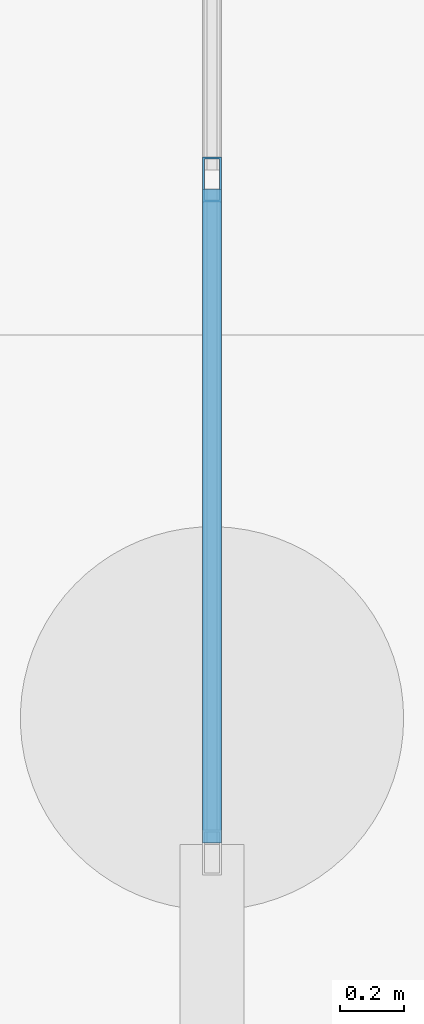
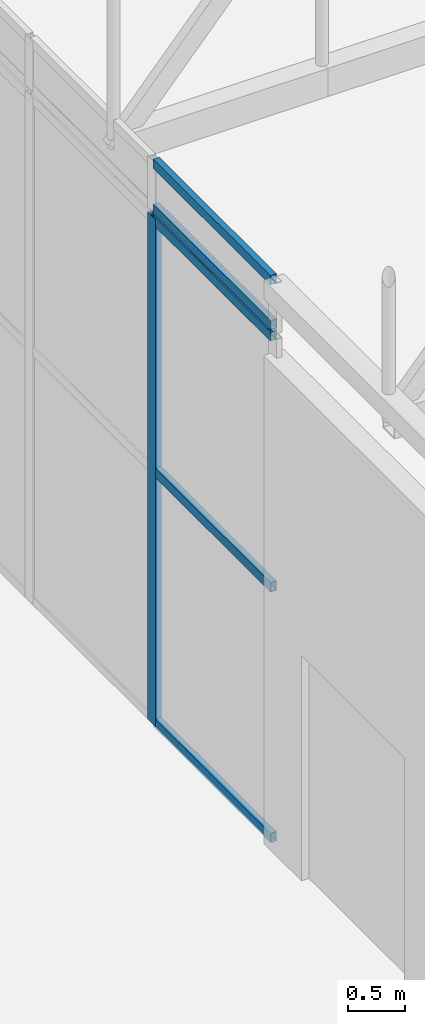
# One storey, part 112 of 212: 6 members, 2 elements without a shape of their own.
"""IFC4 building model written with IfcOpenShell, lengths in metres."""

from ifc_helpers import new_model, si_unit, direction, frame, origin, origin_2d, place, context, subcontext, project, spatial, hollow_rectangle, extrude, material, material_profile, profile_set, type_object, element, aggregate, save


model = new_model("IFC4")

# Units and contexts
model_context = context("Model", 3, precision=1e-05, world=origin(), true_north=direction((0.0, 1.0)))
body_context = subcontext(model_context, "Body", "Model", "MODEL_VIEW")
ifc_project = project(units=[si_unit("LENGTHUNIT", "METRE"), si_unit("AREAUNIT", "SQUARE_METRE"), si_unit("VOLUMEUNIT", "CUBIC_METRE"), si_unit("PLANEANGLEUNIT", "RADIAN"), si_unit("MASSUNIT", "GRAM", prefix="KILO")], contexts=[model_context])

# Site, building, storey
site_placement = place(None, origin())
site = spatial("IfcSite", under=ifc_project, at=site_placement, CompositionType="ELEMENT")
building_placement = place(site_placement, origin())
building = spatial("IfcBuilding", under=site, at=building_placement, Name="Catenary Quay Ferry Terminal", CompositionType="ELEMENT")
storey_placement = place(building_placement, origin())
storey = spatial("IfcBuildingStorey", under=building, at=storey_placement, Name="L00", CompositionType="ELEMENT", Elevation=0.0)

# Curtain wall, members
ifc_material_1 = material(Name="Aluminium and glass", Category="aluminium")
curtain_wall_type_1 = type_object("IfcCurtainWallType", Name="CWG", PredefinedType="NOTDEFINED", material=ifc_material_1)
curtain_wall_1_placement = place(storey_placement, origin())
curtain_wall_1 = element("IfcCurtainWall", 1, at=curtain_wall_1_placement, inside=storey, type_object=curtain_wall_type_1, Name="Gable arrivals hall curtain wall CW8", PredefinedType="NOTDEFINED")
ifc_material_2 = material(Name="Aluminium", Category="aluminium")
ifc_material_profile_1 = material_profile(ifc_material_2, hollow_rectangle(XDim=0.06005859375, YDim=0.139892578125, WallThickness=0.006103515625, at=origin_2d()), Name="MU2")
ifc_profile_set_1 = profile_set([ifc_material_profile_1], Name="Aluminium")
member_type_1 = type_object("IfcMemberType", Name="MU2", PredefinedType="MULLION", material=ifc_profile_set_1)
member_1_placement = place(storey_placement, frame((92.39990234375, 94.08740234375, 0.0), z_axis=(0.0, 0.0, 1.0), x_axis=(-1.0, 0.0, 0.0)))
member_1 = element("IfcMember", 2, at=member_1_placement, type_object=member_type_1, Name="CW8 mullion 2", PredefinedType="MULLION", context=body_context, shape_type="SweptSolid", body=[
    extrude(hollow_rectangle(XDim=0.06005859375, YDim=0.139892578125, WallThickness=0.006103515625, at=origin_2d()), origin(), (0.0, 0.0, 1.0), 5.39990234375),
])
ifc_material_3 = material(Name="Aluminium", Category="aluminium")
ifc_material_profile_2 = material_profile(ifc_material_3, hollow_rectangle(XDim=0.06005859375, YDim=0.10009765625, WallThickness=0.0048828125, at=origin_2d()), Name="TR2")
ifc_profile_set_2 = profile_set([ifc_material_profile_2], Name="Aluminium")
member_type_2 = type_object("IfcMemberType", Name="TR2", PredefinedType="USERDEFINED", material=ifc_profile_set_2)
member_2_placement = place(storey_placement, frame((92.39990234375, 92.010009765625, 0.030029296875), z_axis=(0.0, 1.0, 0.0), x_axis=(-1.0, 0.0, 0.0)))
member_2 = element("IfcMember", 3, at=member_2_placement, type_object=member_type_2, Name="CW8 transom 1.1", ObjectType="TRANSOM", PredefinedType="USERDEFINED", context=body_context, shape_type="SweptSolid", body=[
    extrude(hollow_rectangle(XDim=0.06005859375, YDim=0.10009765625, WallThickness=0.0048828125, at=origin_2d()), origin(), (0.0, 0.0, 1.0), 2.047607421875),
])
member_3_placement = place(storey_placement, frame((92.39990234375, 92.010009765625, 2.699951171875), z_axis=(0.0, 1.0, 0.0), x_axis=(-1.0, 0.0, 0.0)))
member_3 = element("IfcMember", 4, at=member_3_placement, type_object=member_type_2, Name="CW8 transom 1.2", ObjectType="TRANSOM", PredefinedType="USERDEFINED", context=body_context, shape_type="SweptSolid", body=[
    extrude(hollow_rectangle(XDim=0.06005859375, YDim=0.10009765625, WallThickness=0.0048828125, at=origin_2d()), origin(), (0.0, 0.0, 1.0), 2.047607421875),
])
member_4_placement = place(storey_placement, frame((92.39990234375, 92.010009765625, 5.3701171875), z_axis=(0.0, 1.0, 0.0), x_axis=(-1.0, 0.0, 0.0)))
member_4 = element("IfcMember", 5, at=member_4_placement, type_object=member_type_2, Name="CW8 transom 1.3", ObjectType="TRANSOM", PredefinedType="USERDEFINED", context=body_context, shape_type="SweptSolid", body=[
    extrude(hollow_rectangle(XDim=0.06005859375, YDim=0.10009765625, WallThickness=0.0048828125, at=origin_2d()), origin(), (0.0, 0.0, 1.0), 2.047607421875),
])
aggregate(curtain_wall_1, [member_1, member_2, member_3, member_4])

ifc_material_4 = material(Name="Aluminium and glass", Category="aluminium")
curtain_wall_type_2 = type_object("IfcCurtainWallType", Name="CWQ", PredefinedType="NOTDEFINED", material=ifc_material_4)
curtain_wall_2_placement = place(storey_placement, origin())
curtain_wall_2 = element("IfcCurtainWall", 6, at=curtain_wall_2_placement, inside=storey, type_object=curtain_wall_type_2, Name="Gable band arrivals hall curtain wall CW172", PredefinedType="NOTDEFINED")
member_5_placement = place(storey_placement, frame((92.39990234375, 92.010009765625, 5.489990234375), z_axis=(0.0, 1.0, 0.0), x_axis=(-1.0, 0.0, 0.0)))
member_5 = element("IfcMember", 7, at=member_5_placement, type_object=member_type_2, Name="CW172 transom 1.1", ObjectType="TRANSOM", PredefinedType="USERDEFINED", context=body_context, shape_type="SweptSolid", body=[
    extrude(hollow_rectangle(XDim=0.06005859375, YDim=0.10009765625, WallThickness=0.0048828125, at=origin_2d()), origin(), (0.0, 0.0, 1.0), 2.047607421875),
])
member_6_placement = place(storey_placement, frame((92.39990234375, 92.010009765625, 5.969970703125), z_axis=(0.0, 1.0, 0.0), x_axis=(-1.0, 0.0, 0.0)))
member_6 = element("IfcMember", 8, at=member_6_placement, type_object=member_type_2, Name="CW172 transom 1.2", ObjectType="TRANSOM", PredefinedType="USERDEFINED", context=body_context, shape_type="SweptSolid", body=[
    extrude(hollow_rectangle(XDim=0.06005859375, YDim=0.10009765625, WallThickness=0.0048828125, at=origin_2d()), origin(), (0.0, 0.0, 1.0), 2.047607421875),
])
aggregate(curtain_wall_2, [member_5, member_6])

save(model, "model.ifc")
